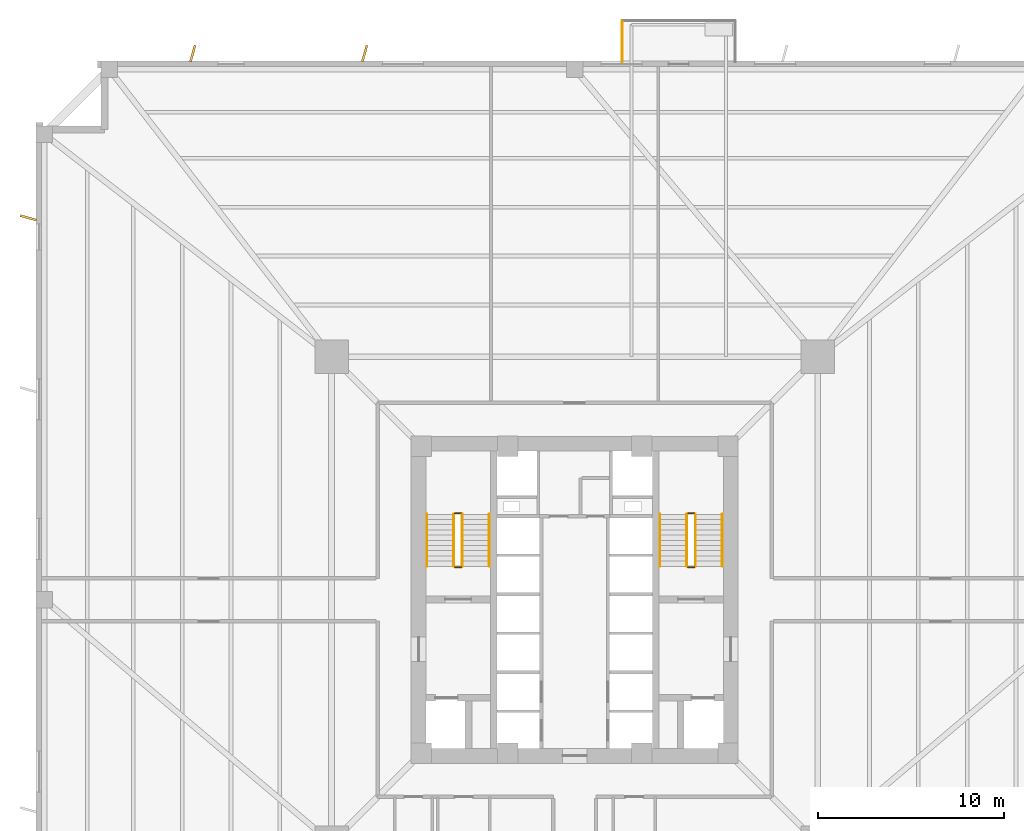
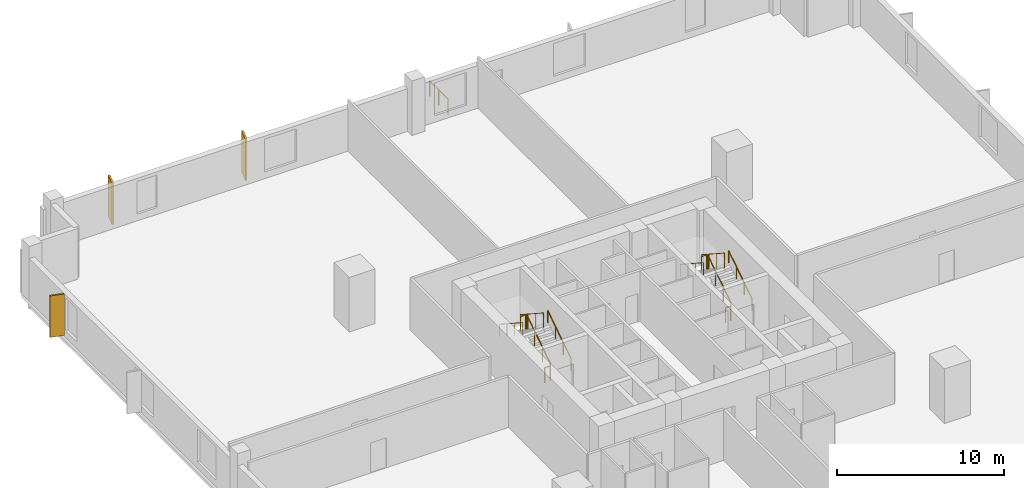
# One storey, part 7 of 8: 13 railings, 3 coverings.
"""IFC4 building model written with IfcOpenShell, lengths in metres."""

from ifc_helpers import new_model, si_unit, direction, frame, origin, origin_2d, place, context, subcontext, project, spatial, rectangle, circle, extrude, source, transform, mapped, material, layer, layer_set, type_object, element, save


model = new_model("IFC4")

# Units and contexts
model_context = context("Model", 3, precision=1e-05, world=origin(), true_north=direction((0.0, 1.0)))
body_context = subcontext(model_context, "Body", "Model", "MODEL_VIEW")
ifc_project = project(units=[si_unit("LENGTHUNIT", "METRE"), si_unit("AREAUNIT", "SQUARE_METRE"), si_unit("VOLUMEUNIT", "CUBIC_METRE"), si_unit("PLANEANGLEUNIT", "RADIAN"), si_unit("MASSUNIT", "GRAM", prefix="KILO"), si_unit("THERMODYNAMICTEMPERATUREUNIT", "KELVIN")], contexts=[model_context])

# Site, building, storey
site_placement = place(None, origin())
site = spatial("IfcSite", under=ifc_project, at=site_placement, CompositionType="ELEMENT")
building_placement = place(site_placement, origin())
building = spatial("IfcBuilding", under=site, at=building_placement, Name="Kosmvard Interchange Tower", CompositionType="ELEMENT")
storey_placement = place(building_placement, frame((0.0, 0.0, 30.0)))
storey = spatial("IfcBuildingStorey", under=building, at=storey_placement, Name="L06", CompositionType="ELEMENT", Elevation=30.0)

# Railing
ifc_material_1 = material(Name="Steel S355", Category="steel")
railing_type_1 = type_object("IfcRailingType", Name="Observation & Balcony Glass-Infill Balustrade 1150", PredefinedType="BALUSTRADE", material=ifc_material_1)
shared_shape_1 = source(origin(), body_context, "Body", "SweptSolid", [
    extrude(circle(Radius=0.02392578125, at=origin_2d()), frame((0.0, 0.0, 1.1259765625), z_axis=(0.0, -1.0, 0.0), x_axis=(1.0, 0.0, 0.0)), (0.0, 0.0, 1.0), 2.199951171875),
    extrude(circle(Radius=0.02099609375, at=origin_2d()), origin(), (0.0, 0.0, 1.0), 1.101806640625),
    extrude(circle(Radius=0.02099609375, at=origin_2d()), frame((0.0, -1.10009765625, 0.0)), (0.0, 0.0, 1.0), 1.101806640625),
    extrude(circle(Radius=0.02099609375, at=origin_2d()), frame((0.0, -2.199951171875, 0.0)), (0.0, 0.0, 1.0), 1.101806640625),
])
railing_placement = place(storey_placement, frame((2.550048828125, 31.14990234375, 0.0)))
element("IfcRailing", 1, at=railing_placement, inside=storey, type_object=railing_type_1, Name="L06 Outdoor Terrace Guard BAL-L06-N-C", PredefinedType="BALUSTRADE", context=body_context, shape_type="MappedRepresentation", body=[
    mapped(shared_shape_1, transform((0.0, 0.0, 0.0), scale=1.0)),
])

# Coverings
ifc_material_2 = material(Name="Architectural anodised aluminium", Category="aluminium")
ifc_layer = layer(ifc_material_2, 0.1201171875, Name="Architectural anodised aluminium")
ifc_layer_set = layer_set([ifc_layer], Name="Architectural anodised aluminium")
covering_type = type_object("IfcCoveringType", Name="Rotating Vertical Sun-Breaker Fin 900x120 Aluminium", PredefinedType="CLADDING", material=ifc_layer_set)
shared_shape_2 = source(origin(), body_context, "Body", "SweptSolid", [
    extrude(rectangle(XDim=0.89990234375, YDim=0.1201171875, at=origin_2d()), origin(), (0.0, 0.0, 1.0), 3.0400390625),
])
for number, where, z_axis, x_axis, name in (
    (2, (-11.3037109375, 29.39990234375, 0.0400390625), (0.0, 0.0, 1.0), (0.268079200424, 0.963396876837, 0.0), "L06 Rotating Vertical Sun-Breaker Fin 11"),
    (3, (-20.552001953125, 29.39990234375, 0.0400390625), (0.0, 0.0, 1.0), (0.268079200424, 0.963396876837, 0.0), "L06 Rotating Vertical Sun-Breaker Fin 12"),
    (4, (-29.39990234375, 20.552001953125, 0.0400390625), (0.0, 0.0, 1.0), (-0.963396876837, 0.268079200424, 0.0), "L06 Rotating Vertical Sun-Breaker Fin 13"),
):
    element("IfcCovering", number, at=place(storey_placement, frame(where, z_axis=z_axis, x_axis=x_axis)), inside=storey, type_object=covering_type, Name=name, PredefinedType="CLADDING", context=body_context, shape_type="MappedRepresentation", body=[
        mapped(shared_shape_2, transform((0.0, 0.0, 0.0), scale=1.0)),
    ])

# Railings
railing_type_2 = type_object("IfcRailingType", Name="Stair & Terrace Safety Guardrail 1100 Steel", PredefinedType="GUARDRAIL", material=ifc_material_1)
shared_shape_3 = source(origin(), body_context, "Body", "SweptSolid", [
    extrude(circle(Radius=0.02392578125, at=origin_2d()), frame((0.0, 0.0, 1.076171875), z_axis=(-1.0, 0.0, 0.0), x_axis=(0.0, -1.0, 0.0)), (0.0, 0.0, 1.0), 0.35986328125),
    extrude(circle(Radius=0.02099609375, at=origin_2d()), origin(), (0.0, 0.0, 1.0), 1.052001953125),
    extrude(circle(Radius=0.02099609375, at=origin_2d()), frame((-0.35986328125, 0.0, 0.0)), (0.0, 0.0, 1.0), 1.052001953125),
])
for number, where, name in (
    (5, (-6.090087890625, 4.64990234375, 2.0), "L06 ST-1 stair guard 2"),
    (6, (-6.090087890625, 1.75, 0.0), "L06 ST-1 stair guard 4"),
    (7, (6.449951171875, 4.64990234375, 2.0), "L06 ST-2 stair guard 2"),
    (8, (6.449951171875, 1.75, 0.0), "L06 ST-2 stair guard 4"),
):
    element("IfcRailing", number, at=place(storey_placement, frame(where)), inside=storey, type_object=railing_type_2, Name=name, PredefinedType="GUARDRAIL", context=body_context, shape_type="MappedRepresentation", body=[
        mapped(shared_shape_3, transform((0.0, 0.0, 0.0), scale=1.0)),
    ])
shared_shape_4 = source(origin(), body_context, "Body", "SweptSolid", [
    extrude(circle(Radius=0.02392578125, at=origin_2d()), frame((0.0, 0.0, 1.076171875), z_axis=(0.0, 0.838705829183, 0.544584733623), x_axis=(-1.0, 0.0, 0.0)), (0.0, 0.0, 1.0), 3.338623046875),
    extrude(circle(Radius=0.02099609375, at=origin_2d()), origin(), (0.0, 0.0, 1.0), 1.052001953125),
    extrude(circle(Radius=0.02099609375, at=origin_2d()), frame((0.0, 0.933349609375, 0.60595703125)), (0.0, 0.0, 1.0), 1.052001953125),
    extrude(circle(Radius=0.02099609375, at=origin_2d()), frame((0.0, 1.86669921875, 1.212158203125)), (0.0, 0.0, 1.0), 1.052001953125),
    extrude(circle(Radius=0.02099609375, at=origin_2d()), frame((0.0, 2.800048828125, 1.818115234375)), (0.0, 0.0, 1.0), 1.052001953125),
])
for number, where, name in (
    (9, (-6.0400390625, 1.800048828125, 0.181884765625), "L06 ST-1 stair guard 1"),
    (10, (6.5, 1.800048828125, 0.181884765625), "L06 ST-2 stair guard 1"),
):
    element("IfcRailing", number, at=place(storey_placement, frame(where)), inside=storey, type_object=railing_type_2, Name=name, PredefinedType="GUARDRAIL", context=body_context, shape_type="MappedRepresentation", body=[
        mapped(shared_shape_4, transform((0.0, 0.0, 0.0), scale=1.0)),
    ])
shared_shape_5 = source(origin(), body_context, "Body", "SweptSolid", [
    extrude(circle(Radius=0.02392578125, at=origin_2d()), frame((0.0, 0.0, 1.076171875), z_axis=(0.0, -0.838705829183, 0.544584733623), x_axis=(1.0, 0.0, 0.0)), (0.0, 0.0, 1.0), 3.338623046875),
    extrude(circle(Radius=0.02099609375, at=origin_2d()), origin(), (0.0, 0.0, 1.0), 1.052001953125),
    extrude(circle(Radius=0.02099609375, at=origin_2d()), frame((0.0, -0.933349609375, 0.60595703125)), (0.0, 0.0, 1.0), 1.052001953125),
    extrude(circle(Radius=0.02099609375, at=origin_2d()), frame((0.0, -1.86669921875, 1.212158203125)), (0.0, 0.0, 1.0), 1.052001953125),
    extrude(circle(Radius=0.02099609375, at=origin_2d()), frame((0.0, -2.800048828125, 1.818115234375)), (0.0, 0.0, 1.0), 1.052001953125),
])
for number, where, name in (
    (11, (-6.5, 4.60009765625, 2.181884765625), "L06 ST-1 stair guard 3"),
    (12, (6.0400390625, 4.60009765625, 2.181884765625), "L06 ST-2 stair guard 3"),
):
    element("IfcRailing", number, at=place(storey_placement, frame(where)), inside=storey, type_object=railing_type_2, Name=name, PredefinedType="GUARDRAIL", context=body_context, shape_type="MappedRepresentation", body=[
        mapped(shared_shape_5, transform((0.0, 0.0, 0.0), scale=1.0)),
    ])
railing_type_3 = type_object("IfcRailingType", Name="Wall-Mounted Stair Handrail 900 Steel", PredefinedType="HANDRAIL", material=ifc_material_1)
shared_shape_6 = source(origin(), body_context, "Body", "SweptSolid", [
    extrude(circle(Radius=0.02392578125, at=origin_2d()), frame((0.0, 0.0, 0.8759765625), z_axis=(0.0, 0.838705829183, 0.544584733623), x_axis=(-1.0, 0.0, 0.0)), (0.0, 0.0, 1.0), 3.338623046875),
    extrude(circle(Radius=0.02099609375, at=origin_2d()), origin(), (0.0, 0.0, 1.0), 0.851806640625),
    extrude(circle(Radius=0.02099609375, at=origin_2d()), frame((0.0, 0.933349609375, 0.60595703125)), (0.0, 0.0, 1.0), 0.851806640625),
    extrude(circle(Radius=0.02099609375, at=origin_2d()), frame((0.0, 1.86669921875, 1.212158203125)), (0.0, 0.0, 1.0), 0.851806640625),
    extrude(circle(Radius=0.02099609375, at=origin_2d()), frame((0.0, 2.800048828125, 1.818115234375)), (0.0, 0.0, 1.0), 0.851806640625),
])
for number, where, name in (
    (13, (-4.590087890625, 1.800048828125, 0.181884765625), "L06 ST-1 stair handrail 1"),
    (14, (7.949951171875, 1.800048828125, 0.181884765625), "L06 ST-2 stair handrail 1"),
):
    element("IfcRailing", number, at=place(storey_placement, frame(where)), inside=storey, type_object=railing_type_3, Name=name, PredefinedType="HANDRAIL", context=body_context, shape_type="MappedRepresentation", body=[
        mapped(shared_shape_6, transform((0.0, 0.0, 0.0), scale=1.0)),
    ])
shared_shape_7 = source(origin(), body_context, "Body", "SweptSolid", [
    extrude(circle(Radius=0.02392578125, at=origin_2d()), frame((0.0, 0.0, 0.8759765625), z_axis=(0.0, -0.838705829183, 0.544584733623), x_axis=(1.0, 0.0, 0.0)), (0.0, 0.0, 1.0), 3.338623046875),
    extrude(circle(Radius=0.02099609375, at=origin_2d()), origin(), (0.0, 0.0, 1.0), 0.851806640625),
    extrude(circle(Radius=0.02099609375, at=origin_2d()), frame((0.0, -0.933349609375, 0.60595703125)), (0.0, 0.0, 1.0), 0.851806640625),
    extrude(circle(Radius=0.02099609375, at=origin_2d()), frame((0.0, -1.86669921875, 1.212158203125)), (0.0, 0.0, 1.0), 0.851806640625),
    extrude(circle(Radius=0.02099609375, at=origin_2d()), frame((0.0, -2.800048828125, 1.818115234375)), (0.0, 0.0, 1.0), 0.851806640625),
])
for number, where, name in (
    (15, (-7.949951171875, 4.60009765625, 2.181884765625), "L06 ST-1 stair handrail 2"),
    (16, (4.590087890625, 4.60009765625, 2.181884765625), "L06 ST-2 stair handrail 2"),
):
    element("IfcRailing", number, at=place(storey_placement, frame(where)), inside=storey, type_object=railing_type_3, Name=name, PredefinedType="HANDRAIL", context=body_context, shape_type="MappedRepresentation", body=[
        mapped(shared_shape_7, transform((0.0, 0.0, 0.0), scale=1.0)),
    ])

save(model, "model.ifc")
